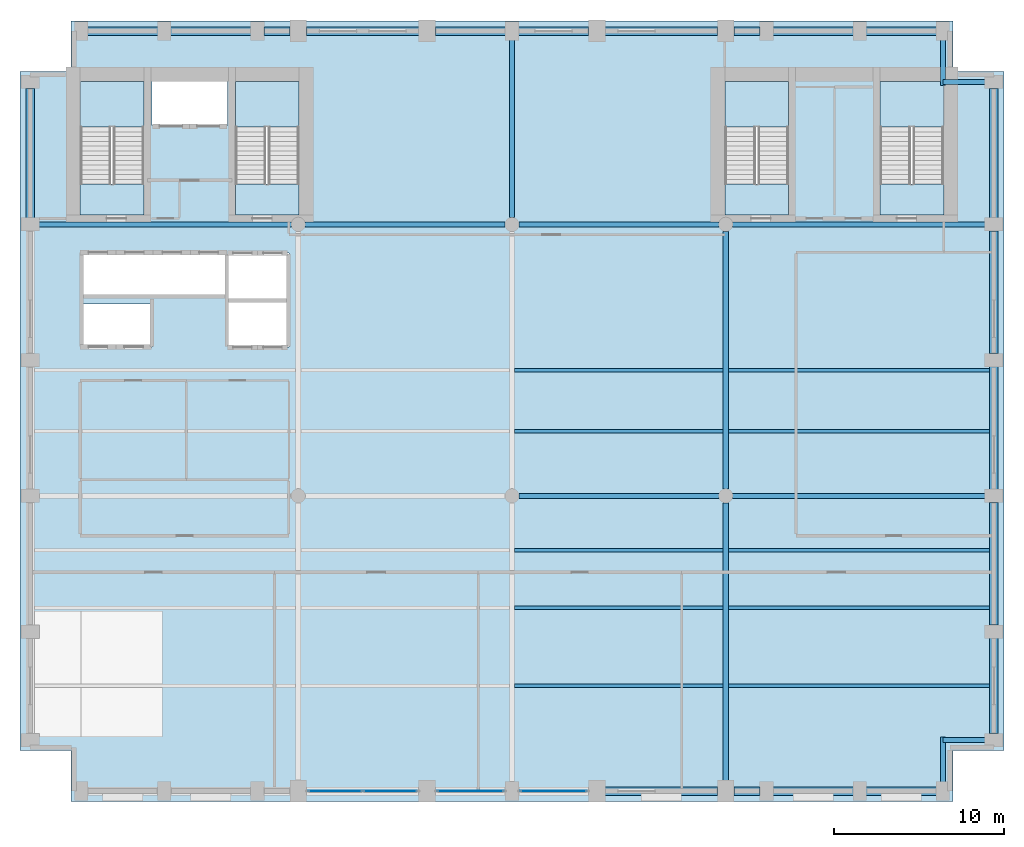
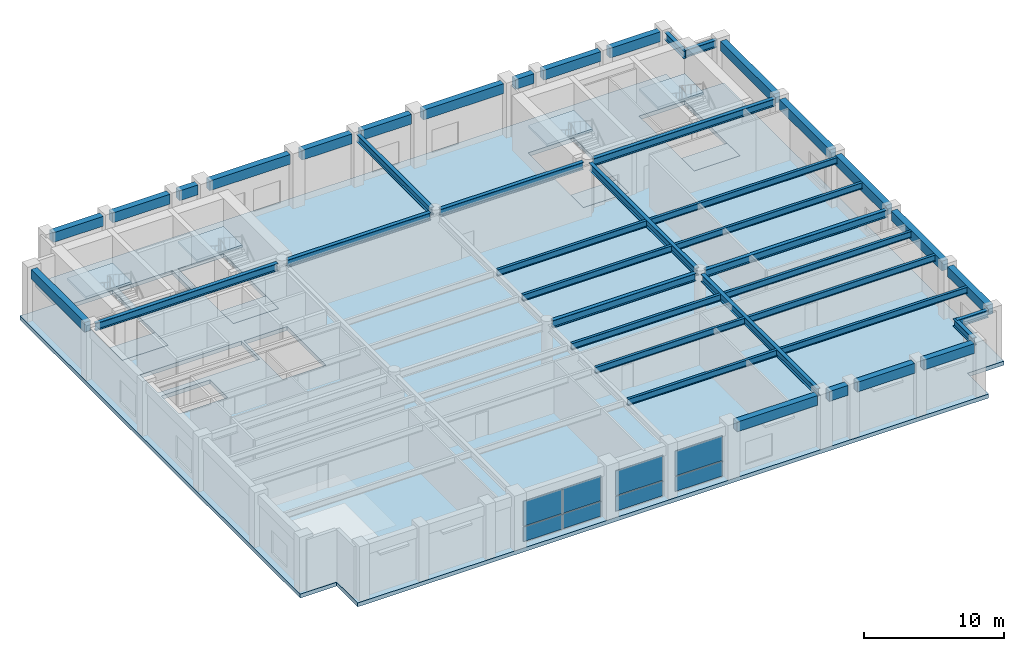
# One storey, part 3 of 10: 43 beams, 9 slabs, 8 plates, 7 elements without a shape of their own.
"""IFC4 building model written with IfcOpenShell, lengths in metres."""

from ifc_helpers import new_model, si_unit, direction, frame, origin, origin_2d, place, context, subcontext, project, spatial, polyline, rectangle, i_section, outline, extrude, material, layer, layer_set, material_profile, profile_set, type_object, element, aggregate, save


model = new_model("IFC4")

# Units and contexts
model_context = context("Model", 3, precision=1e-05, world=origin(), true_north=direction((0.0, 1.0)))
body_context = subcontext(model_context, "Body", "Model", "MODEL_VIEW")
ifc_project = project(units=[si_unit("LENGTHUNIT", "METRE"), si_unit("AREAUNIT", "SQUARE_METRE"), si_unit("VOLUMEUNIT", "CUBIC_METRE"), si_unit("PLANEANGLEUNIT", "RADIAN"), si_unit("MASSUNIT", "GRAM", prefix="KILO")], contexts=[model_context])

# Site, building, storey
site_placement = place(None, origin())
site = spatial("IfcSite", under=ifc_project, at=site_placement, CompositionType="ELEMENT")
building_placement = place(site_placement, origin())
building = spatial("IfcBuilding", under=site, at=building_placement, Name="Sulina Concourse Tower", CompositionType="ELEMENT")
storey_placement = place(building_placement, frame((0.0, 0.0, 165.800048828125)))
storey = spatial("IfcBuildingStorey", under=building, at=storey_placement, Name="L40", CompositionType="ELEMENT", Elevation=165.800048828125)

# Beams
ifc_material_1 = material(Name="Steel S355", Category="steel")
ifc_material_profile_1 = material_profile(ifc_material_1, i_section(OverallWidth=0.2099609375, OverallDepth=0.550048828125, WebThickness=0.010986328125, FlangeThickness=0.01708984375, at=origin_2d()), Name="IPE 550")
ifc_profile_set_1 = profile_set([ifc_material_profile_1], Name="Steel S355")
beam_type_1 = type_object("IfcBeamType", Name="Composite Floor Joist IPE550", PredefinedType="JOIST", material=ifc_profile_set_1)
beam_1_placement = place(storey_placement, frame((29.14990234375, 6.800048828125, 4.25), z_axis=(1.0, 0.0, 0.0), x_axis=(0.0, 1.0, 0.0)))
element("IfcBeam", 1, at=beam_1_placement, inside=storey, type_object=beam_type_1, Name="FJ-J06-3-L40", PredefinedType="JOIST", context=body_context, shape_type="SweptSolid", body=[
    extrude(i_section(OverallWidth=0.2099609375, OverallDepth=0.550048828125, WebThickness=0.010986328125, FlangeThickness=0.01708984375, at=origin_2d()), origin(), (0.0, 0.0, 1.0), 12.300048828125),
])
beam_2_placement = place(storey_placement, frame((41.75, 6.800048828125, 4.25), z_axis=(1.0, 0.0, 0.0), x_axis=(0.0, 1.0, 0.0)))
element("IfcBeam", 2, at=beam_2_placement, inside=storey, type_object=beam_type_1, Name="FJ-J06-4-L40", PredefinedType="JOIST", context=body_context, shape_type="SweptSolid", body=[
    extrude(i_section(OverallWidth=0.2099609375, OverallDepth=0.550048828125, WebThickness=0.010986328125, FlangeThickness=0.01708984375, at=origin_2d()), origin(), (0.0, 0.0, 1.0), 15.39990234375),
])
beam_3_placement = place(storey_placement, frame((29.14990234375, 11.39990234375, 4.25), z_axis=(1.0, 0.0, 0.0), x_axis=(0.0, 1.0, 0.0)))
element("IfcBeam", 3, at=beam_3_placement, inside=storey, type_object=beam_type_1, Name="FJ-J11-3-L40", PredefinedType="JOIST", context=body_context, shape_type="SweptSolid", body=[
    extrude(i_section(OverallWidth=0.2099609375, OverallDepth=0.550048828125, WebThickness=0.010986328125, FlangeThickness=0.01708984375, at=origin_2d()), origin(), (0.0, 0.0, 1.0), 12.300048828125),
])
beam_4_placement = place(storey_placement, frame((41.75, 11.39990234375, 4.25), z_axis=(1.0, 0.0, 0.0), x_axis=(0.0, 1.0, 0.0)))
element("IfcBeam", 4, at=beam_4_placement, inside=storey, type_object=beam_type_1, Name="FJ-J11-4-L40", PredefinedType="JOIST", context=body_context, shape_type="SweptSolid", body=[
    extrude(i_section(OverallWidth=0.2099609375, OverallDepth=0.550048828125, WebThickness=0.010986328125, FlangeThickness=0.01708984375, at=origin_2d()), origin(), (0.0, 0.0, 1.0), 15.39990234375),
])
beam_5_placement = place(storey_placement, frame((29.14990234375, 14.800048828125, 4.25), z_axis=(1.0, 0.0, 0.0), x_axis=(0.0, 1.0, 0.0)))
element("IfcBeam", 5, at=beam_5_placement, inside=storey, type_object=beam_type_1, Name="FJ-J15-3-L40", PredefinedType="JOIST", context=body_context, shape_type="SweptSolid", body=[
    extrude(i_section(OverallWidth=0.2099609375, OverallDepth=0.550048828125, WebThickness=0.010986328125, FlangeThickness=0.01708984375, at=origin_2d()), origin(), (0.0, 0.0, 1.0), 12.300048828125),
])
beam_6_placement = place(storey_placement, frame((41.75, 14.800048828125, 4.25), z_axis=(1.0, 0.0, 0.0), x_axis=(0.0, 1.0, 0.0)))
element("IfcBeam", 6, at=beam_6_placement, inside=storey, type_object=beam_type_1, Name="FJ-J15-4-L40", PredefinedType="JOIST", context=body_context, shape_type="SweptSolid", body=[
    extrude(i_section(OverallWidth=0.2099609375, OverallDepth=0.550048828125, WebThickness=0.010986328125, FlangeThickness=0.01708984375, at=origin_2d()), origin(), (0.0, 0.0, 1.0), 15.39990234375),
])
beam_7_placement = place(storey_placement, frame((29.14990234375, 21.800048828125, 4.25), z_axis=(1.0, 0.0, 0.0), x_axis=(0.0, 1.0, 0.0)))
element("IfcBeam", 7, at=beam_7_placement, inside=storey, type_object=beam_type_1, Name="FJ-J22-3-L40", PredefinedType="JOIST", context=body_context, shape_type="SweptSolid", body=[
    extrude(i_section(OverallWidth=0.2099609375, OverallDepth=0.550048828125, WebThickness=0.010986328125, FlangeThickness=0.01708984375, at=origin_2d()), origin(), (0.0, 0.0, 1.0), 12.300048828125),
])
beam_8_placement = place(storey_placement, frame((41.75, 21.800048828125, 4.25), z_axis=(1.0, 0.0, 0.0), x_axis=(0.0, 1.0, 0.0)))
element("IfcBeam", 8, at=beam_8_placement, inside=storey, type_object=beam_type_1, Name="FJ-J22-4-L40", PredefinedType="JOIST", context=body_context, shape_type="SweptSolid", body=[
    extrude(i_section(OverallWidth=0.2099609375, OverallDepth=0.550048828125, WebThickness=0.010986328125, FlangeThickness=0.01708984375, at=origin_2d()), origin(), (0.0, 0.0, 1.0), 15.39990234375),
])
beam_9_placement = place(storey_placement, frame((29.14990234375, 25.39990234375, 4.25), z_axis=(1.0, 0.0, 0.0), x_axis=(0.0, 1.0, 0.0)))
element("IfcBeam", 9, at=beam_9_placement, inside=storey, type_object=beam_type_1, Name="FJ-J25-3-L40", PredefinedType="JOIST", context=body_context, shape_type="SweptSolid", body=[
    extrude(i_section(OverallWidth=0.2099609375, OverallDepth=0.550048828125, WebThickness=0.010986328125, FlangeThickness=0.01708984375, at=origin_2d()), origin(), (0.0, 0.0, 1.0), 12.300048828125),
])
beam_10_placement = place(storey_placement, frame((41.75, 25.39990234375, 4.25), z_axis=(1.0, 0.0, 0.0), x_axis=(0.0, 1.0, 0.0)))
element("IfcBeam", 10, at=beam_10_placement, inside=storey, type_object=beam_type_1, Name="FJ-J25-4-L40", PredefinedType="JOIST", context=body_context, shape_type="SweptSolid", body=[
    extrude(i_section(OverallWidth=0.2099609375, OverallDepth=0.550048828125, WebThickness=0.010986328125, FlangeThickness=0.01708984375, at=origin_2d()), origin(), (0.0, 0.0, 1.0), 15.39990234375),
])
ifc_material_2 = material(Name="Steel S355", Category="steel")
ifc_material_profile_2 = material_profile(ifc_material_2, i_section(OverallWidth=0.300048828125, OverallDepth=0.64990234375, WebThickness=0.01611328125, FlangeThickness=0.031005859375, at=origin_2d()), Name="HE 650 B")
ifc_profile_set_2 = profile_set([ifc_material_profile_2], Name="Steel S355")
beam_type_2 = type_object("IfcBeamType", Name="Floor Primary Girder Zone 2 HE650B", PredefinedType="BEAM", material=ifc_profile_set_2)
for number, where, z_axis, x_axis, name in (
    (11, (54.39990234375, 3.60009765625, 4.199951171875), (1.0, 0.0, 0.0), (0.0, 1.0, 0.0), "TIE-SE-L40"),
    (12, (54.39990234375, 42.39990234375, 4.199951171875), (1.0, 0.0, 0.0), (0.0, 1.0, 0.0), "TIE-NE-L40"),
):
    element("IfcBeam", number, at=place(storey_placement, frame(where, z_axis=z_axis, x_axis=x_axis)), inside=storey, type_object=beam_type_2, Name=name, PredefinedType="BEAM", context=body_context, shape_type="SweptSolid", body=[
        extrude(i_section(OverallWidth=0.300048828125, OverallDepth=0.64990234375, WebThickness=0.01611328125, FlangeThickness=0.031005859375, at=origin_2d()), origin(), (0.0, 0.0, 1.0), 2.6201171875),
    ])
for number, where, z_axis, x_axis, name in (
    (13, (54.39990234375, 0.97998046875, 4.199951171875), (0.0, 1.0, 0.0), (-1.0, 0.0, 0.0), "TIE-SES-L40"),
    (14, (54.39990234375, 42.199951171875, 4.199951171875), (0.0, 1.0, 0.0), (-1.0, 0.0, 0.0), "TIE-NEN-L40"),
):
    element("IfcBeam", number, at=place(storey_placement, frame(where, z_axis=z_axis, x_axis=x_axis)), inside=storey, type_object=beam_type_2, Name=name, PredefinedType="BEAM", context=body_context, shape_type="SweptSolid", body=[
        extrude(i_section(OverallWidth=0.300048828125, OverallDepth=0.64990234375, WebThickness=0.01611328125, FlangeThickness=0.031005859375, at=origin_2d()), origin(), (0.0, 0.0, 1.0), 2.820068359375),
    ])
beam_11_placement = place(storey_placement, frame((29.405029296875, 18.0, 4.199951171875), z_axis=(1.0, 0.0, 0.0), x_axis=(0.0, 1.0, 0.0)))
element("IfcBeam", 15, at=beam_11_placement, inside=storey, type_object=beam_type_2, Name="FG-EW3-L40", PredefinedType="BEAM", context=body_context, shape_type="SweptSolid", body=[
    extrude(i_section(OverallWidth=0.300048828125, OverallDepth=0.64990234375, WebThickness=0.01611328125, FlangeThickness=0.031005859375, at=origin_2d()), origin(), (0.0, 0.0, 1.0), 11.7900390625),
])
for number, where, z_axis, x_axis, name in (
    (16, (42.0048828125, 18.0, 4.199951171875), (1.0, 0.0, 0.0), (0.0, 1.0, 0.0), "FG-EW4-L40"),
    (17, (0.97998046875, 34.0, 4.199951171875), (1.0, 0.0, 0.0), (0.0, 1.0, 0.0), "FG-EWN1-L40"),
):
    element("IfcBeam", number, at=place(storey_placement, frame(where, z_axis=z_axis, x_axis=x_axis)), inside=storey, type_object=beam_type_2, Name=name, PredefinedType="BEAM", context=body_context, shape_type="SweptSolid", body=[
        extrude(i_section(OverallWidth=0.300048828125, OverallDepth=0.64990234375, WebThickness=0.01611328125, FlangeThickness=0.031005859375, at=origin_2d()), origin(), (0.0, 0.0, 1.0), 15.01513671875),
    ])
for number, where, z_axis, x_axis, name in (
    (18, (16.804931640625, 34.0, 4.199951171875), (1.0, 0.0, 0.0), (0.0, 1.0, 0.0), "FG-EWN2-L40"),
    (19, (29.405029296875, 34.0, 4.199951171875), (1.0, 0.0, 0.0), (0.0, 1.0, 0.0), "FG-EWN3-L40"),
):
    element("IfcBeam", number, at=place(storey_placement, frame(where, z_axis=z_axis, x_axis=x_axis)), inside=storey, type_object=beam_type_2, Name=name, PredefinedType="BEAM", context=body_context, shape_type="SweptSolid", body=[
        extrude(i_section(OverallWidth=0.300048828125, OverallDepth=0.64990234375, WebThickness=0.01611328125, FlangeThickness=0.031005859375, at=origin_2d()), origin(), (0.0, 0.0, 1.0), 11.7900390625),
    ])
beam_12_placement = place(storey_placement, frame((42.0048828125, 34.0, 4.199951171875), z_axis=(1.0, 0.0, 0.0), x_axis=(0.0, 1.0, 0.0)))
element("IfcBeam", 20, at=beam_12_placement, inside=storey, type_object=beam_type_2, Name="FG-EWN4-L40", PredefinedType="BEAM", context=body_context, shape_type="SweptSolid", body=[
    extrude(i_section(OverallWidth=0.300048828125, OverallDepth=0.64990234375, WebThickness=0.01611328125, FlangeThickness=0.031005859375, at=origin_2d()), origin(), (0.0, 0.0, 1.0), 15.01513671875),
])
beam_13_placement = place(storey_placement, frame((29.0, 34.405029296875, 4.199951171875), z_axis=(0.0, 1.0, 0.0), x_axis=(-1.0, 0.0, 0.0)))
element("IfcBeam", 21, at=beam_13_placement, inside=storey, type_object=beam_type_2, Name="FG-NSC-29-L40", PredefinedType="BEAM", context=body_context, shape_type="SweptSolid", body=[
    extrude(i_section(OverallWidth=0.300048828125, OverallDepth=0.64990234375, WebThickness=0.01611328125, FlangeThickness=0.031005859375, at=origin_2d()), origin(), (0.0, 0.0, 1.0), 10.614990234375),
])
beam_14_placement = place(storey_placement, frame((41.60009765625, 1.080078125, 4.199951171875), z_axis=(0.0, 1.0, 0.0), x_axis=(-1.0, 0.0, 0.0)))
element("IfcBeam", 22, at=beam_14_placement, inside=storey, type_object=beam_type_2, Name="FG-NSA-41-L40", PredefinedType="BEAM", context=body_context, shape_type="SweptSolid", body=[
    extrude(i_section(OverallWidth=0.300048828125, OverallDepth=0.64990234375, WebThickness=0.01611328125, FlangeThickness=0.031005859375, at=origin_2d()), origin(), (0.0, 0.0, 1.0), 16.514892578125),
])
beam_15_placement = place(storey_placement, frame((41.60009765625, 18.405029296875, 4.199951171875), z_axis=(0.0, 1.0, 0.0), x_axis=(-1.0, 0.0, 0.0)))
element("IfcBeam", 23, at=beam_15_placement, inside=storey, type_object=beam_type_2, Name="FG-NSB-41-L40", PredefinedType="BEAM", context=body_context, shape_type="SweptSolid", body=[
    extrude(i_section(OverallWidth=0.300048828125, OverallDepth=0.64990234375, WebThickness=0.01611328125, FlangeThickness=0.031005859375, at=origin_2d()), origin(), (0.0, 0.0, 1.0), 15.18994140625),
])
ifc_material_3 = material(Name="Precast concrete C50/60", Category="concrete")
ifc_material_profile_3 = material_profile(ifc_material_3, rectangle(XDim=0.5, YDim=0.85009765625, at=origin_2d()), Name="RC 500x850")
ifc_profile_set_3 = profile_set([ifc_material_profile_3], Name="Precast concrete C50/60")
beam_type_3 = type_object("IfcBeamType", Name="Lower Precast Spandrel Edge Beam 500x850", PredefinedType="BEAM", material=ifc_profile_set_3)
beam_16_placement = place(storey_placement, frame((34.47998046875, 0.60009765625, 4.099853515625), z_axis=(1.0, 0.0, 0.0), x_axis=(0.0, 1.0, 0.0)))
element("IfcBeam", 24, at=beam_16_placement, inside=storey, type_object=beam_type_3, Name="SP-S7-L40", PredefinedType="BEAM", context=body_context, shape_type="SweptSolid", body=[
    extrude(rectangle(XDim=0.5, YDim=0.85009765625, at=origin_2d()), origin(), (0.0, 0.0, 1.0), 6.64013671875),
])
beam_17_placement = place(storey_placement, frame((42.080078125, 0.60009765625, 4.099853515625), z_axis=(1.0, 0.0, 0.0), x_axis=(0.0, 1.0, 0.0)))
element("IfcBeam", 25, at=beam_17_placement, inside=storey, type_object=beam_type_3, Name="SP-S8-L40", PredefinedType="BEAM", context=body_context, shape_type="SweptSolid", body=[
    extrude(rectangle(XDim=0.5, YDim=0.85009765625, at=origin_2d()), origin(), (0.0, 0.0, 1.0), 1.5400390625),
])
beam_18_placement = place(storey_placement, frame((44.3798828125, 0.60009765625, 4.099853515625), z_axis=(1.0, 0.0, 0.0), x_axis=(0.0, 1.0, 0.0)))
element("IfcBeam", 26, at=beam_18_placement, inside=storey, type_object=beam_type_3, Name="SP-S9-L40", PredefinedType="BEAM", context=body_context, shape_type="SweptSolid", body=[
    extrude(rectangle(XDim=0.5, YDim=0.85009765625, at=origin_2d()), origin(), (0.0, 0.0, 1.0), 4.740234375),
])
for number, where, z_axis, x_axis, name in (
    (27, (49.8798828125, 0.60009765625, 4.099853515625), (1.0, 0.0, 0.0), (0.0, 1.0, 0.0), "SP-S10-L40"),
    (28, (3.97998046875, 45.39990234375, 4.099853515625), (1.0, 0.0, 0.0), (0.0, 1.0, 0.0), "SP-N1-L40"),
):
    element("IfcBeam", number, at=place(storey_placement, frame(where, z_axis=z_axis, x_axis=x_axis)), inside=storey, type_object=beam_type_3, Name=name, PredefinedType="BEAM", context=body_context, shape_type="SweptSolid", body=[
        extrude(rectangle(XDim=0.5, YDim=0.85009765625, at=origin_2d()), origin(), (0.0, 0.0, 1.0), 4.14013671875),
    ])
beam_19_placement = place(storey_placement, frame((8.8798828125, 45.39990234375, 4.099853515625), z_axis=(1.0, 0.0, 0.0), x_axis=(0.0, 1.0, 0.0)))
element("IfcBeam", 29, at=beam_19_placement, inside=storey, type_object=beam_type_3, Name="SP-N2-L40", PredefinedType="BEAM", context=body_context, shape_type="SweptSolid", body=[
    extrude(rectangle(XDim=0.5, YDim=0.85009765625, at=origin_2d()), origin(), (0.0, 0.0, 1.0), 4.740234375),
])
beam_20_placement = place(storey_placement, frame((14.3798828125, 45.39990234375, 4.099853515625), z_axis=(1.0, 0.0, 0.0), x_axis=(0.0, 1.0, 0.0)))
element("IfcBeam", 30, at=beam_20_placement, inside=storey, type_object=beam_type_3, Name="SP-N3-L40", PredefinedType="BEAM", context=body_context, shape_type="SweptSolid", body=[
    extrude(rectangle(XDim=0.5, YDim=0.85009765625, at=origin_2d()), origin(), (0.0, 0.0, 1.0), 1.5400390625),
])
beam_21_placement = place(storey_placement, frame((16.8798828125, 45.39990234375, 4.099853515625), z_axis=(1.0, 0.0, 0.0), x_axis=(0.0, 1.0, 0.0)))
element("IfcBeam", 31, at=beam_21_placement, inside=storey, type_object=beam_type_3, Name="SP-N4-L40", PredefinedType="BEAM", context=body_context, shape_type="SweptSolid", body=[
    extrude(rectangle(XDim=0.5, YDim=0.85009765625, at=origin_2d()), origin(), (0.0, 0.0, 1.0), 6.64013671875),
])
for number, where, z_axis, x_axis, name in (
    (32, (24.47998046875, 45.39990234375, 4.099853515625), (1.0, 0.0, 0.0), (0.0, 1.0, 0.0), "SP-N5-L40"),
    (33, (29.3798828125, 45.39990234375, 4.099853515625), (1.0, 0.0, 0.0), (0.0, 1.0, 0.0), "SP-N6-L40"),
):
    element("IfcBeam", number, at=place(storey_placement, frame(where, z_axis=z_axis, x_axis=x_axis)), inside=storey, type_object=beam_type_3, Name=name, PredefinedType="BEAM", context=body_context, shape_type="SweptSolid", body=[
        extrude(rectangle(XDim=0.5, YDim=0.85009765625, at=origin_2d()), origin(), (0.0, 0.0, 1.0), 4.14013671875),
    ])
beam_22_placement = place(storey_placement, frame((34.47998046875, 45.39990234375, 4.099853515625), z_axis=(1.0, 0.0, 0.0), x_axis=(0.0, 1.0, 0.0)))
element("IfcBeam", 34, at=beam_22_placement, inside=storey, type_object=beam_type_3, Name="SP-N7-L40", PredefinedType="BEAM", context=body_context, shape_type="SweptSolid", body=[
    extrude(rectangle(XDim=0.5, YDim=0.85009765625, at=origin_2d()), origin(), (0.0, 0.0, 1.0), 6.64013671875),
])
beam_23_placement = place(storey_placement, frame((42.080078125, 45.39990234375, 4.099853515625), z_axis=(1.0, 0.0, 0.0), x_axis=(0.0, 1.0, 0.0)))
element("IfcBeam", 35, at=beam_23_placement, inside=storey, type_object=beam_type_3, Name="SP-N8-L40", PredefinedType="BEAM", context=body_context, shape_type="SweptSolid", body=[
    extrude(rectangle(XDim=0.5, YDim=0.85009765625, at=origin_2d()), origin(), (0.0, 0.0, 1.0), 1.5400390625),
])
beam_24_placement = place(storey_placement, frame((44.3798828125, 45.39990234375, 4.099853515625), z_axis=(1.0, 0.0, 0.0), x_axis=(0.0, 1.0, 0.0)))
element("IfcBeam", 36, at=beam_24_placement, inside=storey, type_object=beam_type_3, Name="SP-N9-L40", PredefinedType="BEAM", context=body_context, shape_type="SweptSolid", body=[
    extrude(rectangle(XDim=0.5, YDim=0.85009765625, at=origin_2d()), origin(), (0.0, 0.0, 1.0), 4.740234375),
])
beam_25_placement = place(storey_placement, frame((49.8798828125, 45.39990234375, 4.099853515625), z_axis=(1.0, 0.0, 0.0), x_axis=(0.0, 1.0, 0.0)))
element("IfcBeam", 37, at=beam_25_placement, inside=storey, type_object=beam_type_3, Name="SP-N10-L40", PredefinedType="BEAM", context=body_context, shape_type="SweptSolid", body=[
    extrude(rectangle(XDim=0.5, YDim=0.85009765625, at=origin_2d()), origin(), (0.0, 0.0, 1.0), 4.14013671875),
])
beam_26_placement = place(storey_placement, frame((0.60009765625, 34.3798828125, 4.099853515625), z_axis=(0.0, 1.0, 0.0), x_axis=(-1.0, 0.0, 0.0)))
element("IfcBeam", 38, at=beam_26_placement, inside=storey, type_object=beam_type_3, Name="SP-W5-L40", PredefinedType="BEAM", context=body_context, shape_type="SweptSolid", body=[
    extrude(rectangle(XDim=0.5, YDim=0.85009765625, at=origin_2d()), origin(), (0.0, 0.0, 1.0), 7.64013671875),
])
beam_27_placement = place(storey_placement, frame((57.39990234375, 3.97998046875, 4.099853515625), z_axis=(0.0, 1.0, 0.0), x_axis=(-1.0, 0.0, 0.0)))
element("IfcBeam", 39, at=beam_27_placement, inside=storey, type_object=beam_type_3, Name="SP-E1-L40", PredefinedType="BEAM", context=body_context, shape_type="SweptSolid", body=[
    extrude(rectangle(XDim=0.5, YDim=0.85009765625, at=origin_2d()), origin(), (0.0, 0.0, 1.0), 5.64013671875),
])
for number, where, z_axis, x_axis, name in (
    (40, (57.39990234375, 10.3798828125, 4.099853515625), (0.0, 1.0, 0.0), (-1.0, 0.0, 0.0), "SP-E2-L40"),
    (41, (57.39990234375, 18.3798828125, 4.099853515625), (0.0, 1.0, 0.0), (-1.0, 0.0, 0.0), "SP-E3-L40"),
    (42, (57.39990234375, 26.3798828125, 4.099853515625), (0.0, 1.0, 0.0), (-1.0, 0.0, 0.0), "SP-E4-L40"),
):
    element("IfcBeam", number, at=place(storey_placement, frame(where, z_axis=z_axis, x_axis=x_axis)), inside=storey, type_object=beam_type_3, Name=name, PredefinedType="BEAM", context=body_context, shape_type="SweptSolid", body=[
        extrude(rectangle(XDim=0.5, YDim=0.85009765625, at=origin_2d()), origin(), (0.0, 0.0, 1.0), 7.240234375),
    ])
beam_28_placement = place(storey_placement, frame((57.39990234375, 34.3798828125, 4.099853515625), z_axis=(0.0, 1.0, 0.0), x_axis=(-1.0, 0.0, 0.0)))
element("IfcBeam", 43, at=beam_28_placement, inside=storey, type_object=beam_type_3, Name="SP-E5-L40", PredefinedType="BEAM", context=body_context, shape_type="SweptSolid", body=[
    extrude(rectangle(XDim=0.5, YDim=0.85009765625, at=origin_2d()), origin(), (0.0, 0.0, 1.0), 7.64013671875),
])

# Slabs
ifc_material_4 = material(Name="Concrete C60/75", Category="concrete")
ifc_layer_1 = layer(ifc_material_4, 0.340087890625)
ifc_layer_set_1 = layer_set([ifc_layer_1], Name="Concrete C60/75")
slab_type_1 = type_object("IfcSlabType", Name="Mechanical Plant & Sky-Lobby Slab 340mm", PredefinedType="FLOOR", material=ifc_layer_set_1)
slab_1_placement = place(storey_placement, frame((0.0, 0.0, -0.340087890625)))
element("IfcSlab", 44, at=slab_1_placement, inside=storey, type_object=slab_type_1, Name="L40 structural floor slab", PredefinedType="FLOOR", context=body_context, shape_type="SweptSolid", body=[
    extrude(outline(polyline([(3.0, 0.0), (55.0, 0.0), (55.0, 3.0), (58.0, 3.0), (58.0, 43.0), (55.0, 43.0), (55.0, 46.0), (3.0, 46.0), (3.0, 43.0), (0.0, 43.0), (0.0, 3.0), (3.0, 3.0), (3.0, 0.0)]), holes=[polyline([(7.31005859375, 34.550048828125), (7.31005859375, 42.429931640625), (3.550048828125, 42.429931640625), (3.550048828125, 34.550048828125), (7.31005859375, 34.550048828125)]), polyline([(16.449951171875, 34.550048828125), (16.449951171875, 42.429931640625), (12.68994140625, 42.429931640625), (12.68994140625, 34.550048828125), (16.449951171875, 34.550048828125)]), polyline([(45.31005859375, 34.550048828125), (45.31005859375, 42.429931640625), (41.550048828125, 42.429931640625), (41.550048828125, 34.550048828125), (45.31005859375, 34.550048828125)]), polyline([(54.449951171875, 34.550048828125), (54.449951171875, 42.429931640625), (50.68994140625, 42.429931640625), (50.68994140625, 34.550048828125), (54.449951171875, 34.550048828125)]), polyline([(7.780029296875, 39.830078125), (12.219970703125, 39.830078125), (12.219970703125, 42.449951171875), (7.780029296875, 42.449951171875), (7.780029296875, 39.830078125)]), polyline([(3.739990234375, 26.780029296875), (7.77001953125, 26.780029296875), (7.77001953125, 29.320068359375), (3.739990234375, 29.320068359375), (3.739990234375, 26.780029296875)]), polyline([(3.739990234375, 29.780029296875), (12.10009765625, 29.780029296875), (12.10009765625, 32.3701171875), (3.739990234375, 32.3701171875), (3.739990234375, 29.780029296875)]), polyline([(12.280029296875, 26.780029296875), (15.85009765625, 26.780029296875), (15.85009765625, 32.320068359375), (12.280029296875, 32.320068359375), (12.280029296875, 26.780029296875)])]), origin(), (0.0, 0.0, 1.0), 0.340087890625),
])
ifc_material_5 = material(Name="Concrete C50/60", Category="concrete")
ifc_layer_2 = layer(ifc_material_5, 0.199951171875)
ifc_layer_set_2 = layer_set([ifc_layer_2], Name="Concrete C50/60")
slab_type_2 = type_object("IfcSlabType", Name="Primary Core Stair Landing Slab 200mm", PredefinedType="LANDING", material=ifc_layer_set_2)
slab_2_placement = place(storey_placement, frame((0.0, 0.0, -0.199951171875)))
element("IfcSlab", 45, at=slab_2_placement, inside=storey, type_object=slab_type_2, Name="L40 ST-1 floor landing slab", PredefinedType="LANDING", context=body_context, shape_type="SweptSolid", body=[
    extrude(outline(polyline([(7.31005859375, 34.550048828125), (7.31005859375, 36.375), (3.550048828125, 36.375), (3.550048828125, 34.550048828125), (7.31005859375, 34.550048828125)])), origin(), (0.0, 0.0, 1.0), 0.199951171875),
])
slab_3_placement = place(storey_placement, frame((0.0, 0.0, -0.199951171875)))
element("IfcSlab", 46, at=slab_3_placement, inside=storey, type_object=slab_type_2, Name="L40 ST-2 floor landing slab", PredefinedType="LANDING", context=body_context, shape_type="SweptSolid", body=[
    extrude(outline(polyline([(16.449951171875, 34.550048828125), (16.449951171875, 36.375), (12.68994140625, 36.375), (12.68994140625, 34.550048828125), (16.449951171875, 34.550048828125)])), origin(), (0.0, 0.0, 1.0), 0.199951171875),
])
slab_4_placement = place(storey_placement, frame((0.0, 0.0, -0.199951171875)))
element("IfcSlab", 47, at=slab_4_placement, inside=storey, type_object=slab_type_2, Name="L40 ST-3 floor landing slab", PredefinedType="LANDING", context=body_context, shape_type="SweptSolid", body=[
    extrude(outline(polyline([(45.31005859375, 34.550048828125), (45.31005859375, 36.375), (41.550048828125, 36.375), (41.550048828125, 34.550048828125), (45.31005859375, 34.550048828125)])), origin(), (0.0, 0.0, 1.0), 0.199951171875),
])
slab_5_placement = place(storey_placement, frame((0.0, 0.0, -0.199951171875)))
element("IfcSlab", 48, at=slab_5_placement, inside=storey, type_object=slab_type_2, Name="L40 ST-4 floor landing slab", PredefinedType="LANDING", context=body_context, shape_type="SweptSolid", body=[
    extrude(outline(polyline([(54.449951171875, 34.550048828125), (54.449951171875, 36.375), (50.68994140625, 36.375), (50.68994140625, 34.550048828125), (54.449951171875, 34.550048828125)])), origin(), (0.0, 0.0, 1.0), 0.199951171875),
])

# Stair, slab
ifc_material_6 = material(Name="Concrete C50/60", Category="concrete")
stair_type_1 = type_object("IfcStairType", Name="Primary Core Dog-Leg Exit Stair 1800mm", PredefinedType="HALF_TURN_STAIR", material=ifc_material_6)
stair_1_placement = place(storey_placement, origin())
stair_1 = element("IfcStair", 49, at=stair_1_placement, inside=storey, type_object=stair_type_1, Name="L40 ST-1", PredefinedType="HALF_TURN_STAIR")
slab_6_placement = place(storey_placement, frame((0.0, 0.0, 2.199951171875)))
slab_6 = element("IfcSlab", 50, at=slab_6_placement, type_object=slab_type_2, Name="ST-1 landing 1", PredefinedType="LANDING", context=body_context, shape_type="SweptSolid", body=[
    extrude(outline(polyline([(7.304931640625, 39.735107421875), (7.304931640625, 42.425048828125), (3.554931640625, 42.425048828125), (3.554931640625, 39.735107421875), (7.304931640625, 39.735107421875)])), origin(), (0.0, 0.0, 1.0), 0.199951171875),
])
aggregate(stair_1, [slab_6])

stair_2_placement = place(storey_placement, origin())
stair_2 = element("IfcStair", 51, at=stair_2_placement, inside=storey, type_object=stair_type_1, Name="L40 ST-2", PredefinedType="HALF_TURN_STAIR")
slab_7_placement = place(storey_placement, frame((0.0, 0.0, 2.199951171875)))
slab_7 = element("IfcSlab", 52, at=slab_7_placement, type_object=slab_type_2, Name="ST-2 landing 1", PredefinedType="LANDING", context=body_context, shape_type="SweptSolid", body=[
    extrude(outline(polyline([(16.445068359375, 39.735107421875), (16.445068359375, 42.425048828125), (12.695068359375, 42.425048828125), (12.695068359375, 39.735107421875), (16.445068359375, 39.735107421875)])), origin(), (0.0, 0.0, 1.0), 0.199951171875),
])
aggregate(stair_2, [slab_7])

ifc_material_7 = material(Name="Concrete C50/60", Category="concrete")
stair_type_2 = type_object("IfcStairType", Name="Portal & Podium Core Exit Stair 1820mm", PredefinedType="HALF_TURN_STAIR", material=ifc_material_7)
stair_3_placement = place(storey_placement, origin())
stair_3 = element("IfcStair", 53, at=stair_3_placement, inside=storey, type_object=stair_type_2, Name="L40 ST-3", PredefinedType="HALF_TURN_STAIR")
slab_8_placement = place(storey_placement, frame((0.0, 0.0, 2.199951171875)))
slab_8 = element("IfcSlab", 54, at=slab_8_placement, type_object=slab_type_2, Name="ST-3 landing 1", PredefinedType="LANDING", context=body_context, shape_type="SweptSolid", body=[
    extrude(outline(polyline([(45.304931640625, 39.735107421875), (45.304931640625, 42.425048828125), (41.554931640625, 42.425048828125), (41.554931640625, 39.735107421875), (45.304931640625, 39.735107421875)])), origin(), (0.0, 0.0, 1.0), 0.199951171875),
])
aggregate(stair_3, [slab_8])

stair_4_placement = place(storey_placement, origin())
stair_4 = element("IfcStair", 55, at=stair_4_placement, inside=storey, type_object=stair_type_2, Name="L40 ST-4", PredefinedType="HALF_TURN_STAIR")
slab_9_placement = place(storey_placement, frame((0.0, 0.0, 2.199951171875)))
slab_9 = element("IfcSlab", 56, at=slab_9_placement, type_object=slab_type_2, Name="ST-4 landing 1", PredefinedType="LANDING", context=body_context, shape_type="SweptSolid", body=[
    extrude(outline(polyline([(54.445068359375, 39.735107421875), (54.445068359375, 42.425048828125), (50.695068359375, 42.425048828125), (50.695068359375, 39.735107421875), (54.445068359375, 39.735107421875)])), origin(), (0.0, 0.0, 1.0), 0.199951171875),
])
aggregate(stair_4, [slab_9])

# Curtain wall, plates
ifc_material_8 = material(Name="Anodised bronze aluminium", Category="aluminium")
ifc_layer_3 = layer(ifc_material_8, 0.260009765625)
ifc_layer_set_3 = layer_set([ifc_layer_3], Name="Anodised bronze aluminium")
curtain_wall_type = type_object("IfcCurtainWallType", Name="Sky-Lobby Panorama Curtain Wall System", PredefinedType="NOTDEFINED", material=ifc_layer_set_3)
curtain_wall_1_placement = place(storey_placement, origin())
curtain_wall_1 = element("IfcCurtainWall", 57, at=curtain_wall_1_placement, inside=storey, type_object=curtain_wall_type, Name="L40 glazed curtain wall S4", PredefinedType="NOTDEFINED")
ifc_material_9 = material(Name="Acoustic laminated sky-lobby glazing", Category="glass")
ifc_layer_4 = layer(ifc_material_9, 0.0400390625)
ifc_layer_set_4 = layer_set([ifc_layer_4], Name="Acoustic laminated sky-lobby glazing")
plate_type = type_object("IfcPlateType", Name="Sky-Lobby Panorama Curtain Wall System Glazed Panel 40mm", PredefinedType="CURTAIN_PANEL", material=ifc_layer_set_4)
plate_1_placement = place(storey_placement, frame((21.820068359375, 0.60009765625, 0.080078125), z_axis=(0.0, 0.0, 1.0), x_axis=(-1.0, 0.0, 0.0)))
plate_1 = element("IfcPlate", 58, at=plate_1_placement, type_object=plate_type, Name="CW-03 panel 1.1", PredefinedType="CURTAIN_PANEL", context=body_context, shape_type="SweptSolid", body=[
    extrude(rectangle(XDim=3.159912109375, YDim=0.0400390625, at=origin_2d()), origin(), (0.0, 0.0, 1.0), 1.276611328125),
])
plate_2_placement = place(storey_placement, frame((21.820068359375, 0.60009765625, 1.4365234375), z_axis=(0.0, 0.0, 1.0), x_axis=(-1.0, 0.0, 0.0)))
plate_2 = element("IfcPlate", 59, at=plate_2_placement, type_object=plate_type, Name="CW-03 panel 1.2", PredefinedType="CURTAIN_PANEL", context=body_context, shape_type="SweptSolid", body=[
    extrude(rectangle(XDim=3.159912109375, YDim=0.0400390625, at=origin_2d()), origin(), (0.0, 0.0, 1.0), 2.158447265625),
])
plate_3_placement = place(storey_placement, frame((18.580078125, 0.60009765625, 0.080078125), z_axis=(0.0, 0.0, 1.0), x_axis=(-1.0, 0.0, 0.0)))
plate_3 = element("IfcPlate", 60, at=plate_3_placement, type_object=plate_type, Name="CW-03 panel 2.1", PredefinedType="CURTAIN_PANEL", context=body_context, shape_type="SweptSolid", body=[
    extrude(rectangle(XDim=3.159912109375, YDim=0.0400390625, at=origin_2d()), origin(), (0.0, 0.0, 1.0), 1.276611328125),
])
plate_4_placement = place(storey_placement, frame((18.580078125, 0.60009765625, 1.4365234375), z_axis=(0.0, 0.0, 1.0), x_axis=(-1.0, 0.0, 0.0)))
plate_4 = element("IfcPlate", 61, at=plate_4_placement, type_object=plate_type, Name="CW-03 panel 2.2", PredefinedType="CURTAIN_PANEL", context=body_context, shape_type="SweptSolid", body=[
    extrude(rectangle(XDim=3.159912109375, YDim=0.0400390625, at=origin_2d()), origin(), (0.0, 0.0, 1.0), 2.158447265625),
])
aggregate(curtain_wall_1, [plate_1, plate_2, plate_3, plate_4])

curtain_wall_2_placement = place(storey_placement, origin())
curtain_wall_2 = element("IfcCurtainWall", 62, at=curtain_wall_2_placement, inside=storey, type_object=curtain_wall_type, Name="L40 glazed curtain wall S5", PredefinedType="NOTDEFINED")
plate_5_placement = place(storey_placement, frame((26.550048828125, 0.60009765625, 0.080078125), z_axis=(0.0, 0.0, 1.0), x_axis=(-1.0, 0.0, 0.0)))
plate_5 = element("IfcPlate", 63, at=plate_5_placement, type_object=plate_type, Name="CW-03 panel 1.1", PredefinedType="CURTAIN_PANEL", context=body_context, shape_type="SweptSolid", body=[
    extrude(rectangle(XDim=3.89990234375, YDim=0.0400390625, at=origin_2d()), origin(), (0.0, 0.0, 1.0), 1.276611328125),
])
plate_6_placement = place(storey_placement, frame((26.550048828125, 0.60009765625, 1.4365234375), z_axis=(0.0, 0.0, 1.0), x_axis=(-1.0, 0.0, 0.0)))
plate_6 = element("IfcPlate", 64, at=plate_6_placement, type_object=plate_type, Name="CW-03 panel 1.2", PredefinedType="CURTAIN_PANEL", context=body_context, shape_type="SweptSolid", body=[
    extrude(rectangle(XDim=3.89990234375, YDim=0.0400390625, at=origin_2d()), origin(), (0.0, 0.0, 1.0), 2.158447265625),
])
aggregate(curtain_wall_2, [plate_5, plate_6])

curtain_wall_3_placement = place(storey_placement, origin())
curtain_wall_3 = element("IfcCurtainWall", 65, at=curtain_wall_3_placement, inside=storey, type_object=curtain_wall_type, Name="L40 glazed curtain wall S6", PredefinedType="NOTDEFINED")
plate_7_placement = place(storey_placement, frame((31.449951171875, 0.60009765625, 0.080078125), z_axis=(0.0, 0.0, 1.0), x_axis=(-1.0, 0.0, 0.0)))
plate_7 = element("IfcPlate", 66, at=plate_7_placement, type_object=plate_type, Name="CW-03 panel 1.1", PredefinedType="CURTAIN_PANEL", context=body_context, shape_type="SweptSolid", body=[
    extrude(rectangle(XDim=3.89990234375, YDim=0.0400390625, at=origin_2d()), origin(), (0.0, 0.0, 1.0), 1.276611328125),
])
plate_8_placement = place(storey_placement, frame((31.449951171875, 0.60009765625, 1.4365234375), z_axis=(0.0, 0.0, 1.0), x_axis=(-1.0, 0.0, 0.0)))
plate_8 = element("IfcPlate", 67, at=plate_8_placement, type_object=plate_type, Name="CW-03 panel 1.2", PredefinedType="CURTAIN_PANEL", context=body_context, shape_type="SweptSolid", body=[
    extrude(rectangle(XDim=3.89990234375, YDim=0.0400390625, at=origin_2d()), origin(), (0.0, 0.0, 1.0), 2.158447265625),
])
aggregate(curtain_wall_3, [plate_7, plate_8])

save(model, "model.ifc")
